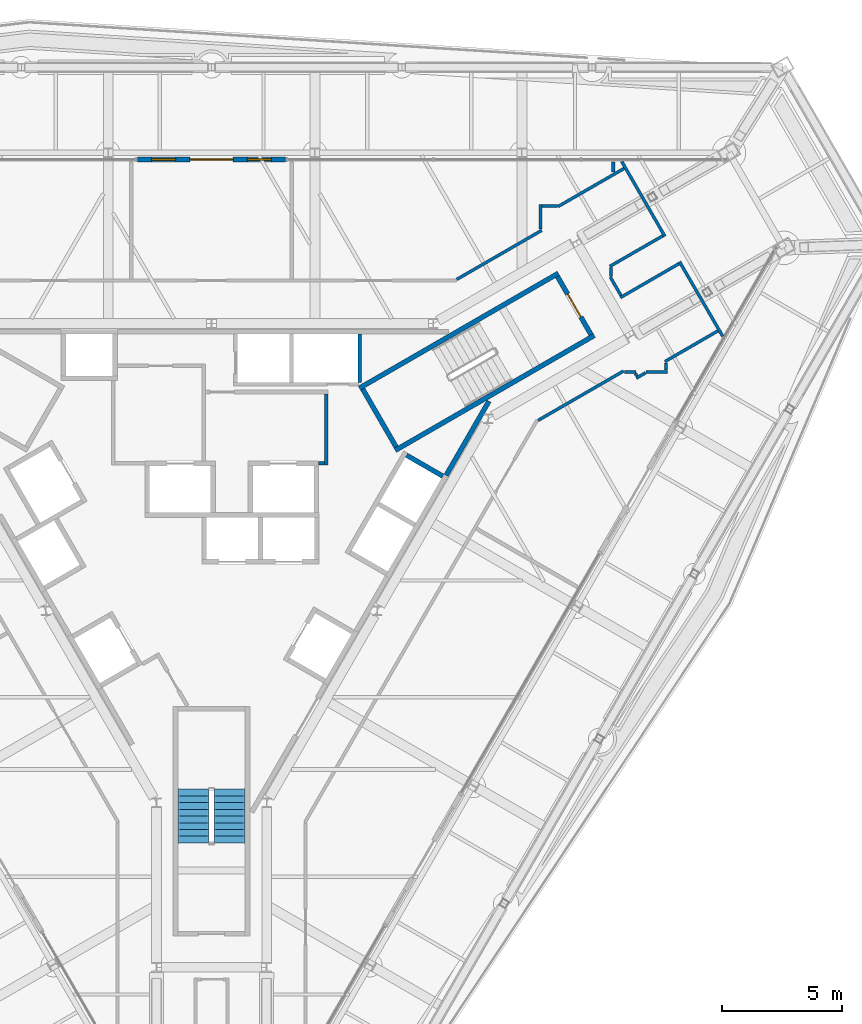
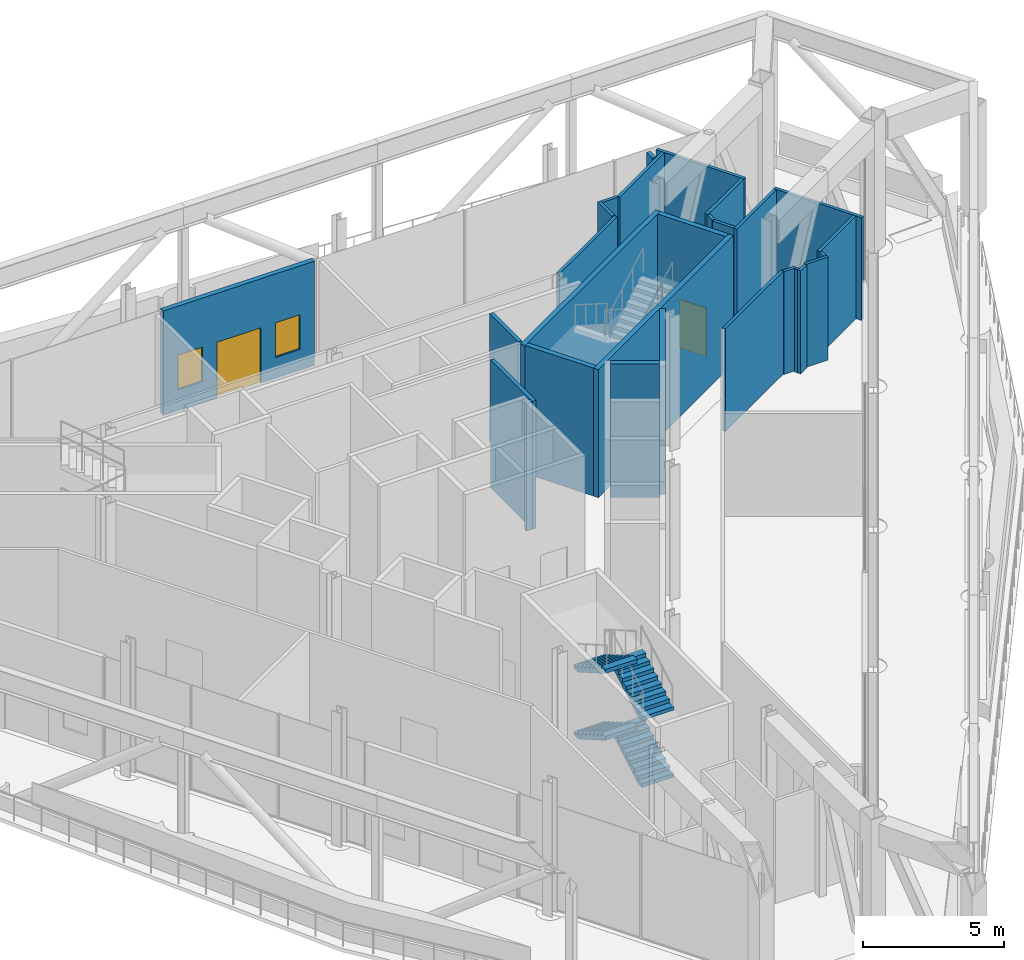
# One storey, part 17 of 24: 28 walls, 4 stair flights, 2 doors, 2 windows, 4 openings, 1 element without a shape of its own.
"""IFC4 building model written with IfcOpenShell, lengths in metres."""

from ifc_helpers import new_model, si_unit, direction, frame, frame_2d, origin, place, context, subcontext, project, spatial, polyline, rectangle, outline, extrude, material, layer, layer_set, type_object, element, fill, aggregate, save


model = new_model("IFC4")

# Units and contexts
model_context = context("Model", 3, precision=1e-05, world=origin(), true_north=direction((0.0, 1.0)))
body_context = subcontext(model_context, "Body", "Model", "MODEL_VIEW")
ifc_project = project(units=[si_unit("LENGTHUNIT", "METRE"), si_unit("AREAUNIT", "SQUARE_METRE"), si_unit("VOLUMEUNIT", "CUBIC_METRE"), si_unit("PLANEANGLEUNIT", "RADIAN"), si_unit("MASSUNIT", "GRAM", prefix="KILO")], contexts=[model_context])

# Site, building, storey
site_placement = place(None, origin())
site = spatial("IfcSite", under=ifc_project, at=site_placement, CompositionType="ELEMENT")
building_placement = place(site_placement, origin())
building = spatial("IfcBuilding", under=site, at=building_placement, Name="Verrane Prism Tower", CompositionType="ELEMENT")
storey_placement = place(building_placement, frame((0.0, 0.0, 200.60009765625)))
storey = spatial("IfcBuildingStorey", under=building, at=storey_placement, Name="L50", CompositionType="ELEMENT", Elevation=200.60009765625)

# Wall
ifc_material_1 = material(Name="Gypsum board partition", Category="other")
ifc_layer_1 = layer(ifc_material_1, 0.199951171875)
ifc_layer_set_1 = layer_set([ifc_layer_1], Name="CW-200 core boundary wall 2 h")
wall_type_1 = type_object("IfcWallType", Name="CW-200 core boundary wall 2 h", PredefinedType="PARTITIONING", material=ifc_layer_set_1)
wall_1_placement = place(storey_placement, frame((9.802978515625, 1.657958984375, 0.0), z_axis=(0.0, 0.0, 1.0), x_axis=(0.499943114462, 0.866058244174, 0.0)))
element("IfcWall", 1, at=wall_1_placement, inside=storey, type_object=wall_type_1, Name="Core boundary wall CW3-008", PredefinedType="PARTITIONING", context=body_context, shape_type="SweptSolid", body=[
    extrude(rectangle(XDim=3.57568359375, YDim=0.199951171875, at=frame_2d((1.787841796875, 0.0))), origin(), (0.0, 0.0, 1.0), 5.5498046875),
])

# Wall, opening, door
ifc_material_2 = material(Name="Concrete C40/50", Category="concrete")
ifc_layer_2 = layer(ifc_material_2, 0.199951171875)
ifc_layer_set_2 = layer_set([ifc_layer_2], Name="CW-200 stair core wall concrete C40/50 3 h")
wall_type_2 = type_object("IfcWallType", Name="CW-200 stair core wall concrete C40/50 3 h", PredefinedType="PARTITIONING", material=ifc_layer_set_2)
wall_2_placement = place(storey_placement, frame((15.85546875, 7.53759765625, 0.0), z_axis=(0.0, 0.0, 1.0), x_axis=(-0.500049511043, 0.865996816683, 0.0)))
wall_2 = element("IfcWall", 2, at=wall_2_placement, inside=storey, type_object=wall_type_2, Name="Stair 1 enclosure wall", PredefinedType="PARTITIONING", context=body_context, shape_type="SweptSolid", body=[
    extrude(rectangle(XDim=2.800048828125, YDim=0.199951171875, at=frame_2d((1.39990234375, 0.0))), origin(), (0.0, 0.0, 1.0), 5.5498046875),
])
opening_1_placement = place(wall_2_placement, frame((0.849853515625, 0.0, 0.0)))
opening_1 = element("IfcOpeningElement", 3, at=opening_1_placement, cuts=wall_2, Name="Opening D50500", PredefinedType="OPENING", context=body_context, shape_type="SweptSolid", body=[
    extrude(rectangle(XDim=1.10009765625, YDim=2.10009765625, at=frame_2d((0.550048828125, 1.050048828125))), frame((0.0, 0.10986328125, 0.0), z_axis=(0.0, -1.0, 0.0), x_axis=(1.0, 0.0, 0.0)), (0.0, 0.0, 1.0), 0.219970703125),
])
ifc_material_3 = material(Name="Timber veneered door leaf", Category="wood")
door_type_1 = type_object("IfcDoorType", Name="DR-1100x2100 FD90 single leaf stair", OperationType="NOTDEFINED", PredefinedType="DOOR", material=ifc_material_3)
door_1_placement = place(opening_1_placement, origin())
door_1 = element("IfcDoor", 4, at=door_1_placement, inside=storey, type_object=door_type_1, Name="Stair 1 door", OperationType="SINGLE_SWING_LEFT", OverallHeight=2.10009765625, OverallWidth=1.10009765625, PredefinedType="DOOR", context=body_context, shape_type="SweptSolid", body=[
    extrude(rectangle(XDim=1.10009765625, YDim=2.10009765625, at=frame_2d((0.550048828125, 1.050048828125))), frame((0.0, 0.02490234375, 0.0), z_axis=(0.0, -1.0, 0.0), x_axis=(1.0, 0.0, 0.0)), (0.0, 0.0, 1.0), 0.050048828125),
])
fill(opening_1, door_1)

# Walls
for number, where, z_axis, x_axis, name in (
    (5, (6.17822265625, 5.299072265625, 0.0), (0.0, 0.0, 1.0), (0.866019993635, 0.500009370536, 0.0), "Stair 1 enclosure wall"),
    (6, (7.67822265625, 2.700927734375, 0.0), (0.0, 0.0, 1.0), (0.866019993635, 0.500009370536, 0.0), "Stair 1 enclosure wall"),
):
    element("IfcWall", number, at=place(storey_placement, frame(where, z_axis=z_axis, x_axis=x_axis)), inside=storey, type_object=wall_type_2, Name=name, PredefinedType="PARTITIONING", context=body_context, shape_type="SweptSolid", body=[
        extrude(rectangle(XDim=9.599853515625, YDim=0.199951171875, at=frame_2d((4.7998046875, 0.0))), origin(), (0.0, 0.0, 1.0), 5.5498046875),
    ])
wall_3_placement = place(storey_placement, frame((7.71484375, 2.837646484375, 0.0), z_axis=(0.0, 0.0, 1.0), x_axis=(-0.500049511043, 0.865996816683, 0.0)))
element("IfcWall", 7, at=wall_3_placement, inside=storey, type_object=wall_type_2, Name="Stair 1 enclosure wall", PredefinedType="PARTITIONING", context=body_context, shape_type="SweptSolid", body=[
    extrude(rectangle(XDim=2.800048828125, YDim=0.199951171875, at=frame_2d((1.39990234375, 0.0))), origin(), (0.0, 0.0, 1.0), 5.5498046875),
])
ifc_material_4 = material(Name="Gypsum board shaft wall assembly", Category="other")
ifc_layer_3 = layer(ifc_material_4, 0.199951171875)
ifc_layer_set_3 = layer_set([ifc_layer_3], Name="HW-200 lift shaft wall 2 h")
wall_type_3 = type_object("IfcWallType", Name="HW-200 lift shaft wall 2 h", PredefinedType="PARTITIONING", material=ifc_layer_set_3)
wall_4_placement = place(storey_placement, frame((9.66455078125, 1.61962890625, 0.0), z_axis=(0.0, 0.0, 1.0), x_axis=(-0.866002029911, 0.500040482552, 0.0)))
element("IfcWall", 8, at=wall_4_placement, inside=storey, type_object=wall_type_3, Name="Lift shaft wall", PredefinedType="PARTITIONING", context=body_context, shape_type="SweptSolid", body=[
    extrude(rectangle(XDim=1.749755859375, YDim=0.199951171875, at=frame_2d((0.875, 0.0))), origin(), (0.0, 0.0, 1.0), 5.7998046875),
])
ifc_material_5 = material(Name="Gypsum board partition", Category="other")
ifc_layer_4 = layer(ifc_material_5, 0.14990234375)
ifc_layer_set_4 = layer_set([ifc_layer_4], Name="LF-150 firefighting lobby wall 1 h")
wall_type_4 = type_object("IfcWallType", Name="LF-150 firefighting lobby wall 1 h", PredefinedType="PARTITIONING", material=ifc_layer_set_4)
wall_5_placement = place(storey_placement, frame((4.47705078125, 2.159912109375, 0.0), z_axis=(0.0, 0.0, 1.0), x_axis=(1.0, 0.0, 0.0)))
element("IfcWall", 9, at=wall_5_placement, inside=storey, type_object=wall_type_4, Name="Firefighting lobby wall LF1-006", PredefinedType="PARTITIONING", context=body_context, shape_type="SweptSolid", body=[
    extrude(rectangle(XDim=0.238037109375, YDim=0.14990234375, at=frame_2d((0.119140625, 0.0))), origin(), (0.0, 0.0, 1.0), 5.5498046875),
])
wall_6_placement = place(storey_placement, frame((4.7900390625, 2.0849609375, 0.0), z_axis=(0.0, 0.0, 1.0), x_axis=(0.0, 1.0, 0.0)))
element("IfcWall", 10, at=wall_6_placement, inside=storey, type_object=wall_type_4, Name="Firefighting lobby wall LF1-007", PredefinedType="PARTITIONING", context=body_context, shape_type="SweptSolid", body=[
    extrude(rectangle(XDim=2.97998046875, YDim=0.14990234375, at=frame_2d((1.489990234375, 0.0))), origin(), (0.0, 0.0, 1.0), 5.5498046875),
])
ifc_material_6 = material(Name="Gypsum board partition", Category="other")
ifc_layer_5 = layer(ifc_material_6, 0.125)
ifc_layer_set_5 = layer_set([ifc_layer_5], Name="PW-125 corridor wall 1 h")
wall_type_5 = type_object("IfcWallType", Name="PW-125 corridor wall 1 h", PredefinedType="PARTITIONING", material=ifc_layer_set_5)
wall_7_placement = place(storey_placement, frame((10.24755859375, 9.842529296875, 0.0), z_axis=(0.0, 0.0, 1.0), x_axis=(0.866019886808, 0.500009555562, 0.0)))
element("IfcWall", 11, at=wall_7_placement, inside=storey, type_object=wall_type_5, Name="Corridor wall 034", PredefinedType="PARTITIONING", context=body_context, shape_type="SweptSolid", body=[
    extrude(rectangle(XDim=4.09765625, YDim=0.125, at=frame_2d((2.048828125, 0.0))), origin(), (0.0, 0.0, 1.0), 4.4619140625),
])
wall_8_placement = place(storey_placement, frame((13.647705078125, 3.95361328125, 0.0), z_axis=(0.0, 0.0, 1.0), x_axis=(0.866031617834, 0.499989236795, 0.0)))
element("IfcWall", 12, at=wall_8_placement, inside=storey, type_object=wall_type_5, Name="Corridor wall 036", PredefinedType="PARTITIONING", context=body_context, shape_type="SweptSolid", body=[
    extrude(rectangle(XDim=4.119140625, YDim=0.125, at=frame_2d((2.0595703125, 0.0))), origin(), (0.0, 0.0, 1.0), 4.4619140625),
])
wall_9_placement = place(storey_placement, frame((13.741943359375, 11.945068359375, 0.0), z_axis=(0.0, 0.0, 1.0), x_axis=(0.0, 1.0, 0.0)))
element("IfcWall", 13, at=wall_9_placement, inside=storey, type_object=wall_type_5, Name="Corridor wall 037", PredefinedType="PARTITIONING", context=body_context, shape_type="SweptSolid", body=[
    extrude(rectangle(XDim=1.035400390625, YDim=0.125, at=frame_2d((0.517578125, 0.0))), origin(), (0.0, 0.0, 1.0), 4.4619140625),
])
wall_10_placement = place(storey_placement, frame((13.806884765625, 12.91796875, 0.0), z_axis=(0.0, 0.0, 1.0), x_axis=(1.0, 0.0, 0.0)))
element("IfcWall", 14, at=wall_10_placement, inside=storey, type_object=wall_type_5, Name="Corridor wall 038", PredefinedType="PARTITIONING", context=body_context, shape_type="SweptSolid", body=[
    extrude(rectangle(XDim=0.64208984375, YDim=0.125, at=frame_2d((0.321044921875, 0.0))), origin(), (0.0, 0.0, 1.0), 4.4619140625),
])
wall_11_placement = place(storey_placement, frame((14.47998046875, 12.88671875, 0.0), z_axis=(0.0, 0.0, 1.0), x_axis=(0.866156179635, 0.499773421142, 0.0)))
element("IfcWall", 15, at=wall_11_placement, inside=storey, type_object=wall_type_5, Name="Corridor wall 039", PredefinedType="PARTITIONING", context=body_context, shape_type="SweptSolid", body=[
    extrude(rectangle(XDim=3.17919921875, YDim=0.125, at=frame_2d((1.589599609375, 0.0))), origin(), (0.0, 0.0, 1.0), 4.4619140625),
])
wall_12_placement = place(storey_placement, frame((16.697998046875, 9.962890625, 0.0), z_axis=(0.0, 0.0, 1.0), x_axis=(0.0, 1.0, 0.0)))
element("IfcWall", 16, at=wall_12_placement, inside=storey, type_object=wall_type_5, Name="Corridor wall 040", PredefinedType="PARTITIONING", context=body_context, shape_type="SweptSolid", body=[
    extrude(rectangle(XDim=0.37109375, YDim=0.125, at=frame_2d((0.185546875, 0.0))), origin(), (0.0, 0.0, 1.0), 4.4619140625),
])
wall_13_placement = place(storey_placement, frame((16.666748046875, 9.93212890625, 0.0), z_axis=(0.0, 0.0, 1.0), x_axis=(0.500411837378, -0.865787498762, 0.0)))
element("IfcWall", 17, at=wall_13_placement, inside=storey, type_object=wall_type_5, Name="Corridor wall 041", PredefinedType="PARTITIONING", context=body_context, shape_type="SweptSolid", body=[
    extrude(rectangle(XDim=0.878662109375, YDim=0.125, at=frame_2d((0.439453125, 0.0))), origin(), (0.0, 0.0, 1.0), 4.4619140625),
])
wall_14_placement = place(storey_placement, frame((16.643798828125, 10.3876953125, 0.0), z_axis=(0.0, 0.0, 1.0), x_axis=(0.866389293917, 0.499369193469, 0.0)))
element("IfcWall", 18, at=wall_14_placement, inside=storey, type_object=wall_type_5, Name="Corridor wall 042", PredefinedType="PARTITIONING", context=body_context, shape_type="SweptSolid", body=[
    extrude(rectangle(XDim=2.552978515625, YDim=0.125, at=frame_2d((1.2763671875, 0.0))), origin(), (0.0, 0.0, 1.0), 4.4619140625),
])
wall_15_placement = place(storey_placement, frame((17.0849609375, 9.083740234375, 0.0), z_axis=(0.0, 0.0, 1.0), x_axis=(0.865499315081, 0.500910107299, 0.0)))
element("IfcWall", 19, at=wall_15_placement, inside=storey, type_object=wall_type_5, Name="Corridor wall 044", PredefinedType="PARTITIONING", context=body_context, shape_type="SweptSolid", body=[
    extrude(rectangle(XDim=2.822509765625, YDim=0.125, at=frame_2d((1.4111328125, 0.0))), origin(), (0.0, 0.0, 1.0), 4.4619140625),
])
wall_16_placement = place(storey_placement, frame((17.24609375, 5.98193359375, 0.0), z_axis=(0.0, 0.0, 1.0), x_axis=(1.0, 0.0, 0.0)))
element("IfcWall", 20, at=wall_16_placement, inside=storey, type_object=wall_type_5, Name="Corridor wall 045", PredefinedType="PARTITIONING", context=body_context, shape_type="SweptSolid", body=[
    extrude(rectangle(XDim=0.4853515625, YDim=0.125, at=frame_2d((0.24267578125, 0.0))), origin(), (0.0, 0.0, 1.0), 4.4619140625),
])
wall_17_placement = place(storey_placement, frame((17.141357421875, 14.765625, 0.0), z_axis=(0.0, 0.0, 1.0), x_axis=(0.499517355343, -0.866303879543, 0.0)))
element("IfcWall", 21, at=wall_17_placement, inside=storey, type_object=wall_type_5, Name="Corridor wall 046", PredefinedType="PARTITIONING", context=body_context, shape_type="SweptSolid", body=[
    extrude(rectangle(XDim=3.60693359375, YDim=0.125, at=frame_2d((1.803466796875, 0.0))), origin(), (0.0, 0.0, 1.0), 4.4619140625),
])
wall_18_placement = place(storey_placement, frame((17.71142578125, 5.908447265625, 0.0), z_axis=(0.0, 0.0, 1.0), x_axis=(0.499195341736, -0.86648947529, 0.0)))
element("IfcWall", 22, at=wall_18_placement, inside=storey, type_object=wall_type_5, Name="Corridor wall 047", PredefinedType="PARTITIONING", context=body_context, shape_type="SweptSolid", body=[
    extrude(rectangle(XDim=0.120361328125, YDim=0.125, at=frame_2d((0.06005859375, 0.0))), origin(), (0.0, 0.0, 1.0), 4.4619140625),
])
wall_19_placement = place(storey_placement, frame((17.75, 5.716552734375, 0.0), z_axis=(0.0, 0.0, 1.0), x_axis=(0.865150363836, 0.501512560116, 0.0)))
element("IfcWall", 23, at=wall_19_placement, inside=storey, type_object=wall_type_5, Name="Corridor wall 048", PredefinedType="PARTITIONING", context=body_context, shape_type="SweptSolid", body=[
    extrude(rectangle(XDim=0.4443359375, YDim=0.125, at=frame_2d((0.22216796875, 0.0))), origin(), (0.0, 0.0, 1.0), 4.4619140625),
])
wall_20_placement = place(storey_placement, frame((18.1455078125, 5.98193359375, 0.0), z_axis=(0.0, 0.0, 1.0), x_axis=(1.0, 0.0, 0.0)))
element("IfcWall", 24, at=wall_20_placement, inside=storey, type_object=wall_type_5, Name="Corridor wall 049", PredefinedType="PARTITIONING", context=body_context, shape_type="SweptSolid", body=[
    extrude(rectangle(XDim=0.9150390625, YDim=0.125, at=frame_2d((0.45751953125, 0.0))), origin(), (0.0, 0.0, 1.0), 4.4619140625),
])
wall_21_placement = place(storey_placement, frame((18.998046875, 6.047119140625, 0.0), z_axis=(0.0, 0.0, 1.0), x_axis=(0.0, 1.0, 0.0)))
element("IfcWall", 25, at=wall_21_placement, inside=storey, type_object=wall_type_5, Name="Corridor wall 050", PredefinedType="PARTITIONING", context=body_context, shape_type="SweptSolid", body=[
    extrude(rectangle(XDim=0.307861328125, YDim=0.125, at=frame_2d((0.15380859375, 0.0))), origin(), (0.0, 0.0, 1.0), 4.4619140625),
])
wall_22_placement = place(storey_placement, frame((18.94384765625, 6.40869140625, 0.0), z_axis=(0.0, 0.0, 1.0), x_axis=(0.865299783161, 0.501254710961, 0.0)))
element("IfcWall", 26, at=wall_22_placement, inside=storey, type_object=wall_type_5, Name="Corridor wall 051", PredefinedType="PARTITIONING", context=body_context, shape_type="SweptSolid", body=[
    extrude(rectangle(XDim=2.55517578125, YDim=0.125, at=frame_2d((1.277587890625, 0.0))), origin(), (0.0, 0.0, 1.0), 4.4619140625),
])
wall_23_placement = place(storey_placement, frame((19.552734375, 10.583984375, 0.0), z_axis=(0.0, 0.0, 1.0), x_axis=(0.501337933971, -0.86525156802, 0.0)))
element("IfcWall", 27, at=wall_23_placement, inside=storey, type_object=wall_type_5, Name="Corridor wall 052", PredefinedType="PARTITIONING", context=body_context, shape_type="SweptSolid", body=[
    extrude(rectangle(XDim=3.6044921875, YDim=0.125, at=frame_2d((1.80224609375, 0.0))), origin(), (0.0, 0.0, 1.0), 4.4619140625),
])
ifc_material_7 = material(Name="Gypsum board partition", Category="other")
ifc_layer_6 = layer(ifc_material_7, 0.14990234375)
ifc_layer_set_6 = layer_set([ifc_layer_6], Name="PW-150 demising wall 1 h")
wall_type_6 = type_object("IfcWallType", Name="PW-150 demising wall 1 h", PredefinedType="PARTITIONING", material=ifc_layer_set_6)
wall_24_placement = place(storey_placement, frame((16.79296875, 14.33642578125, 0.0), z_axis=(0.0, 0.0, 1.0), x_axis=(0.0, 1.0, 0.0)))
element("IfcWall", 28, at=wall_24_placement, inside=storey, type_object=wall_type_6, Name="Demising wall 043", PredefinedType="PARTITIONING", context=body_context, shape_type="SweptSolid", body=[
    extrude(rectangle(XDim=0.41845703125, YDim=0.14990234375, at=frame_2d((0.209228515625, 0.0))), origin(), (0.0, 0.0, 1.0), 4.4619140625),
])
ifc_material_8 = material(Name="Gypsum board partition", Category="other")
ifc_layer_7 = layer(ifc_material_8, 0.14990234375)
ifc_layer_set_7 = layer_set([ifc_layer_7], Name="RS-150 riser enclosure wall 1 h")
wall_type_7 = type_object("IfcWallType", Name="RS-150 riser enclosure wall 1 h", PredefinedType="PARTITIONING", material=ifc_layer_set_7)
wall_25_placement = place(storey_placement, frame((6.199951171875, 5.534912109375, 0.0), z_axis=(0.0, 0.0, 1.0), x_axis=(0.0, 1.0, 0.0)))
element("IfcWall", 29, at=wall_25_placement, inside=storey, type_object=wall_type_7, Name="Riser wall RS3-006", PredefinedType="PARTITIONING", context=body_context, shape_type="SweptSolid", body=[
    extrude(rectangle(XDim=2.025146484375, YDim=0.14990234375, at=frame_2d((1.0126953125, 0.0))), origin(), (0.0, 0.0, 1.0), 5.5498046875),
])

# Wall, openings, door, windows
ifc_material_9 = material(Name="Aluminium framed insulated glazing", Category="aluminium")
ifc_layer_8 = layer(ifc_material_9, 0.199951171875)
ifc_layer_set_8 = layer_set([ifc_layer_8], Name="Refuge screen wall 200")
wall_type_8 = type_object("IfcWallType", Name="Refuge screen wall 200", PredefinedType="SOLIDWALL", material=ifc_layer_set_8)
wall_26_placement = place(storey_placement, frame((3.10009765625, 14.85107421875, 0.0), z_axis=(0.0, 0.0, 1.0), x_axis=(-1.0, 0.0, 0.0)))
wall_26 = element("IfcWall", 30, at=wall_26_placement, inside=storey, type_object=wall_type_8, Name="Refuge screen wall north face L50", PredefinedType="SOLIDWALL", context=body_context, shape_type="SweptSolid", body=[
    extrude(rectangle(XDim=6.2001953125, YDim=0.199951171875, at=frame_2d((3.10009765625, 0.0))), origin(), (0.0, 0.0, 1.0), 4.522216796875),
])
opening_2_placement = place(wall_26_placement, frame((0.60009765625, 0.0, 0.89990234375)))
opening_2 = element("IfcOpeningElement", 31, at=opening_2_placement, cuts=wall_26, Name="Opening W50701", PredefinedType="OPENING", context=body_context, shape_type="SweptSolid", body=[
    extrude(rectangle(XDim=1.0, YDim=1.5, at=frame_2d((0.5, 0.75))), frame((0.0, 0.10986328125, 0.0), z_axis=(0.0, -1.0, 0.0), x_axis=(1.0, 0.0, 0.0)), (0.0, 0.0, 1.0), 0.219970703125),
])
opening_3_placement = place(wall_26_placement, frame((2.199951171875, 0.0, 0.0)))
opening_3 = element("IfcOpeningElement", 32, at=opening_3_placement, cuts=wall_26, Name="Opening D50701", PredefinedType="OPENING", context=body_context, shape_type="SweptSolid", body=[
    extrude(rectangle(XDim=1.800048828125, YDim=2.39990234375, at=frame_2d((0.89990234375, 1.199951171875))), frame((0.0, 0.10986328125, 0.0), z_axis=(0.0, -1.0, 0.0), x_axis=(1.0, 0.0, 0.0)), (0.0, 0.0, 1.0), 0.219970703125),
])
opening_4_placement = place(wall_26_placement, frame((4.60009765625, 0.0, 0.89990234375)))
opening_4 = element("IfcOpeningElement", 33, at=opening_4_placement, cuts=wall_26, Name="Opening W50702", PredefinedType="OPENING", context=body_context, shape_type="SweptSolid", body=[
    extrude(rectangle(XDim=1.0, YDim=1.5, at=frame_2d((0.5, 0.75))), frame((0.0, 0.10986328125, 0.0), z_axis=(0.0, -1.0, 0.0), x_axis=(1.0, 0.0, 0.0)), (0.0, 0.0, 1.0), 0.219970703125),
])
ifc_material_10 = material(Name="Aluminium framed glazing", Category="aluminium")
door_type_2 = type_object("IfcDoorType", Name="DR-1800x2400 double glazed garden door", OperationType="DOUBLE_DOOR_SINGLE_SWING", PredefinedType="DOOR", material=ifc_material_10)
door_2_placement = place(opening_3_placement, frame((1.800048828125, 0.0, 0.0), z_axis=(0.0, 0.0, 1.0), x_axis=(-1.0, 0.0, 0.0)))
door_2 = element("IfcDoor", 34, at=door_2_placement, inside=storey, type_object=door_type_2, Name="Refuge terrace door D50701", OperationType="DOUBLE_DOOR_SINGLE_SWING", OverallHeight=2.39990234375, OverallWidth=1.800048828125, PredefinedType="DOOR", context=body_context, shape_type="SweptSolid", body=[
    extrude(rectangle(XDim=1.800048828125, YDim=2.39990234375, at=frame_2d((0.89990234375, 1.199951171875))), frame((0.0, 0.02490234375, 0.0), z_axis=(0.0, -1.0, 0.0), x_axis=(1.0, 0.0, 0.0)), (0.0, 0.0, 1.0), 0.050048828125),
])
fill(opening_3, door_2)
ifc_material_11 = material(Name="Aluminium framed glazing", Category="aluminium")
window_type = type_object("IfcWindowType", Name="Vent window 1000x1500 top hung", PartitioningType="SINGLE_PANEL", PredefinedType="WINDOW", material=ifc_material_11)
window_1_placement = place(opening_2_placement, origin())
window_1 = element("IfcWindow", 35, at=window_1_placement, inside=storey, type_object=window_type, Name="Vent window W50701", OverallHeight=1.5, OverallWidth=1.0, PartitioningType="SINGLE_PANEL", PredefinedType="WINDOW", context=body_context, shape_type="SweptSolid", body=[
    extrude(rectangle(XDim=1.0, YDim=1.5, at=frame_2d((0.5, 0.75))), frame((0.0, 0.030029296875, 0.0), z_axis=(0.0, -1.0, 0.0), x_axis=(1.0, 0.0, 0.0)), (0.0, 0.0, 1.0), 0.06005859375),
])
fill(opening_2, window_1)
window_2_placement = place(opening_4_placement, origin())
window_2 = element("IfcWindow", 36, at=window_2_placement, inside=storey, type_object=window_type, Name="Vent window W50702", OverallHeight=1.5, OverallWidth=1.0, PartitioningType="SINGLE_PANEL", PredefinedType="WINDOW", context=body_context, shape_type="SweptSolid", body=[
    extrude(rectangle(XDim=1.0, YDim=1.5, at=frame_2d((0.5, 0.75))), frame((0.0, 0.030029296875, 0.0), z_axis=(0.0, -1.0, 0.0), x_axis=(1.0, 0.0, 0.0)), (0.0, 0.0, 1.0), 0.06005859375),
])
fill(opening_4, window_2)

# Stair, stair flights
ifc_material_12 = material(Name="Concrete C40/50", Category="concrete")
stair_type = type_object("IfcStairType", Name="Exit stair 1300 dog-leg precast concrete C40/50", PredefinedType="HALF_TURN_STAIR", material=ifc_material_12)
stair_placement = place(storey_placement, origin())
stair = element("IfcStair", 37, at=stair_placement, inside=storey, type_object=stair_type, Name="Stair 3 L50", PredefinedType="HALF_TURN_STAIR")
ifc_material_13 = material(Name="Concrete C40/50", Category="concrete")
stair_flight_type = type_object("IfcStairFlightType", Name="Stair flight 1300 precast concrete C40/50", PredefinedType="STRAIGHT", material=ifc_material_13)
stair_flight_1_placement = place(storey_placement, frame((0.75, -13.699951171875, 0.0), z_axis=(0.0, 0.0, 1.0), x_axis=(0.0, 1.0, 0.0)))
stair_flight_1 = element("IfcStairFlight", 38, at=stair_flight_1_placement, type_object=stair_flight_type, Name="Stair 3 flight 1", NumberOfRisers=9, NumberOfTreads=8, PredefinedType="STRAIGHT", RiserHeight=0.161111111, TreadLength=0.28, context=body_context, shape_type="SweptSolid", body=[
    extrude(outline(polyline([(0.0, 0.0), (0.0, 0.1611328125), (0.280029296875, 0.1611328125), (0.280029296875, 0.322265625), (0.56005859375, 0.322265625), (0.56005859375, 0.4833984375), (0.840087890625, 0.4833984375), (0.840087890625, 0.64453125), (1.1201171875, 0.64453125), (1.1201171875, 0.8056640625), (1.39990234375, 0.8056640625), (1.39990234375, 0.966552734375), (1.679931640625, 0.966552734375), (1.679931640625, 1.127685546875), (1.9599609375, 1.127685546875), (1.9599609375, 1.288818359375), (2.239990234375, 1.288818359375), (2.239990234375, 1.449951171875), (2.239990234375, 1.115966796875), (0.300537109375, 0.0), (0.0, 0.0)])), frame((0.0, 0.64990234375, 0.0), z_axis=(0.0, -1.0, 0.0), x_axis=(1.0, 0.0, 0.0)), (0.0, 0.0, 1.0), 1.300048828125),
])
stair_flight_2_placement = place(storey_placement, frame((-0.75, -11.4599609375, 1.449951171875), z_axis=(0.0, 0.0, 1.0), x_axis=(0.0, -1.0, 0.0)))
stair_flight_2 = element("IfcStairFlight", 39, at=stair_flight_2_placement, type_object=stair_flight_type, Name="Stair 3 flight 2", NumberOfRisers=9, NumberOfTreads=8, PredefinedType="STRAIGHT", RiserHeight=0.161111111, TreadLength=0.28, context=body_context, shape_type="SweptSolid", body=[
    extrude(outline(polyline([(0.0, 0.0), (0.0, 0.1611328125), (0.280029296875, 0.1611328125), (0.280029296875, 0.322265625), (0.56005859375, 0.322265625), (0.56005859375, 0.4833984375), (0.840087890625, 0.4833984375), (0.840087890625, 0.64453125), (1.1201171875, 0.64453125), (1.1201171875, 0.8056640625), (1.39990234375, 0.8056640625), (1.39990234375, 0.966552734375), (1.679931640625, 0.966552734375), (1.679931640625, 1.127685546875), (1.9599609375, 1.127685546875), (1.9599609375, 1.288818359375), (2.239990234375, 1.288818359375), (2.239990234375, 1.449951171875), (2.239990234375, 1.115966796875), (0.300537109375, 0.0), (0.0, 0.0)])), frame((0.0, 0.64990234375, 0.0), z_axis=(0.0, -1.0, 0.0), x_axis=(1.0, 0.0, 0.0)), (0.0, 0.0, 1.0), 1.300048828125),
])
stair_flight_3_placement = place(storey_placement, frame((0.75, -13.699951171875, 2.89990234375), z_axis=(0.0, 0.0, 1.0), x_axis=(0.0, 1.0, 0.0)))
stair_flight_3 = element("IfcStairFlight", 40, at=stair_flight_3_placement, type_object=stair_flight_type, Name="Stair 3 flight 3", NumberOfRisers=9, NumberOfTreads=8, PredefinedType="STRAIGHT", RiserHeight=0.161111111, TreadLength=0.28, context=body_context, shape_type="SweptSolid", body=[
    extrude(outline(polyline([(0.0, 0.0), (0.0, 0.1611328125), (0.280029296875, 0.1611328125), (0.280029296875, 0.322265625), (0.56005859375, 0.322265625), (0.56005859375, 0.4833984375), (0.840087890625, 0.4833984375), (0.840087890625, 0.64453125), (1.1201171875, 0.64453125), (1.1201171875, 0.8056640625), (1.39990234375, 0.8056640625), (1.39990234375, 0.966552734375), (1.679931640625, 0.966552734375), (1.679931640625, 1.127685546875), (1.9599609375, 1.127685546875), (1.9599609375, 1.288818359375), (2.239990234375, 1.288818359375), (2.239990234375, 1.449951171875), (2.239990234375, 1.115966796875), (0.300537109375, 0.0), (0.0, 0.0)])), frame((0.0, 0.64990234375, 0.0), z_axis=(0.0, -1.0, 0.0), x_axis=(1.0, 0.0, 0.0)), (0.0, 0.0, 1.0), 1.300048828125),
])
stair_flight_4_placement = place(storey_placement, frame((-0.75, -11.4599609375, 4.349853515625), z_axis=(0.0, 0.0, 1.0), x_axis=(0.0, -1.0, 0.0)))
stair_flight_4 = element("IfcStairFlight", 41, at=stair_flight_4_placement, type_object=stair_flight_type, Name="Stair 3 flight 4", NumberOfRisers=9, NumberOfTreads=8, PredefinedType="STRAIGHT", RiserHeight=0.161111111, TreadLength=0.28, context=body_context, shape_type="SweptSolid", body=[
    extrude(outline(polyline([(0.0, 0.0), (0.0, 0.1611328125), (0.280029296875, 0.1611328125), (0.280029296875, 0.322265625), (0.56005859375, 0.322265625), (0.56005859375, 0.4833984375), (0.840087890625, 0.4833984375), (0.840087890625, 0.64453125), (1.1201171875, 0.64453125), (1.1201171875, 0.8056640625), (1.39990234375, 0.8056640625), (1.39990234375, 0.966552734375), (1.679931640625, 0.966552734375), (1.679931640625, 1.127685546875), (1.9599609375, 1.127685546875), (1.9599609375, 1.288818359375), (2.239990234375, 1.288818359375), (2.239990234375, 1.449951171875), (2.239990234375, 1.115966796875), (0.300537109375, 0.0), (0.0, 0.0)])), frame((0.0, 0.64990234375, 0.0), z_axis=(0.0, -1.0, 0.0), x_axis=(1.0, 0.0, 0.0)), (0.0, 0.0, 1.0), 1.300048828125),
])
aggregate(stair, [stair_flight_1, stair_flight_2, stair_flight_3, stair_flight_4])

save(model, "model.ifc")
